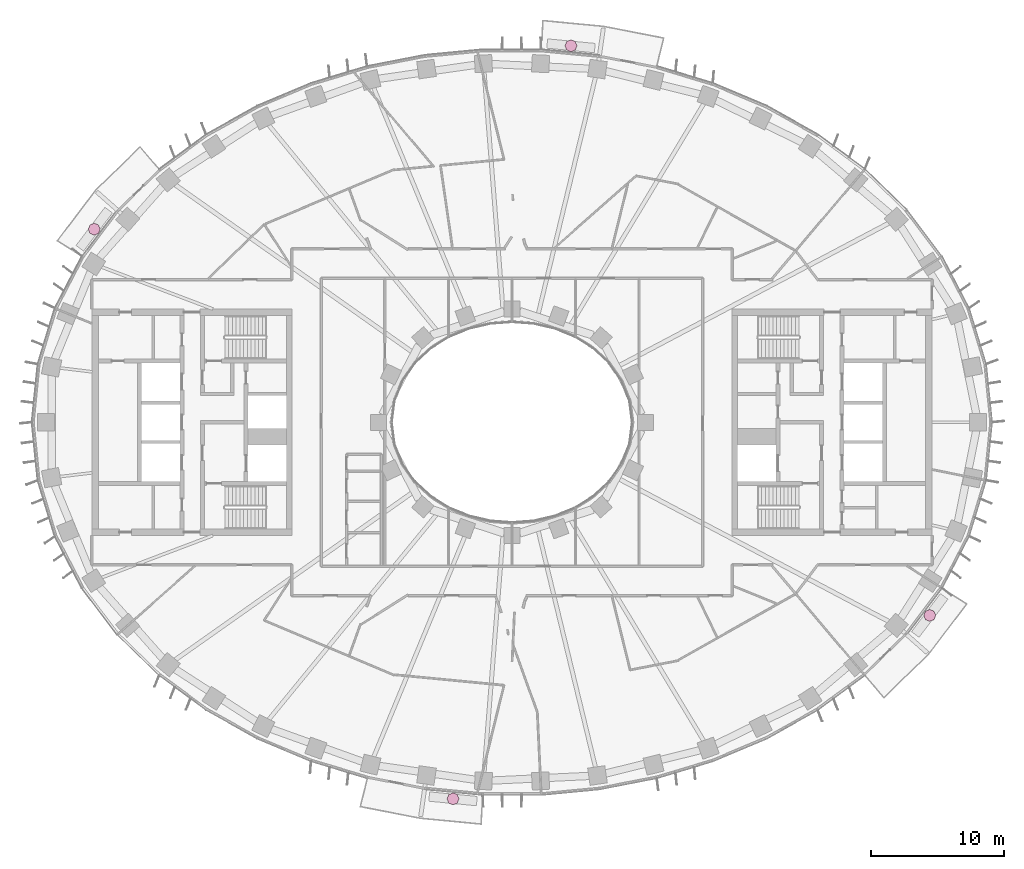
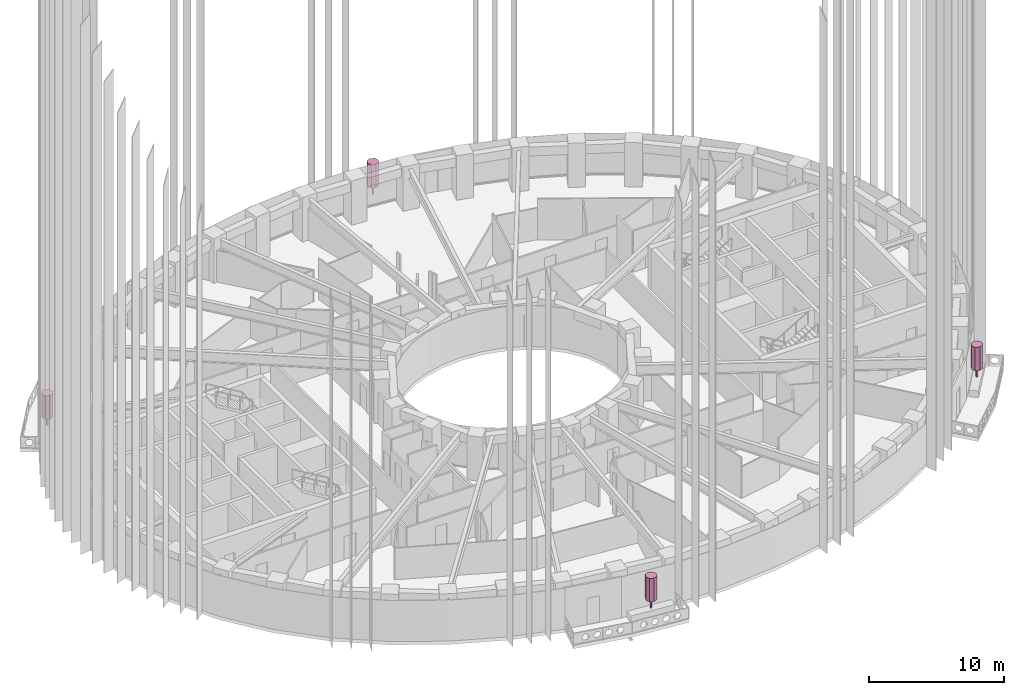
# One storey, part 20 of 20: 4 furnishings.
"""IFC4 building model written with IfcOpenShell, lengths in metres."""

from ifc_helpers import new_model, si_unit, direction, frame, origin, origin_2d, place, context, subcontext, project, spatial, polyline, rectangle, outline, extrude, material, type_object, element, save


model = new_model("IFC4")

# Units and contexts
model_context = context("Model", 3, precision=1e-05, world=origin(), true_north=direction((0.0, 1.0)))
body_context = subcontext(model_context, "Body", "Model", "MODEL_VIEW")
ifc_project = project(units=[si_unit("LENGTHUNIT", "METRE"), si_unit("AREAUNIT", "SQUARE_METRE"), si_unit("VOLUMEUNIT", "CUBIC_METRE"), si_unit("PLANEANGLEUNIT", "RADIAN"), si_unit("MASSUNIT", "GRAM", prefix="KILO")], contexts=[model_context])

# Site, building, storey
site_placement = place(None, origin())
site = spatial("IfcSite", under=ifc_project, at=site_placement, CompositionType="ELEMENT")
building_placement = place(site_placement, origin())
building = spatial("IfcBuilding", under=site, at=building_placement, Name="Noorbagh Ring Tower", CompositionType="ELEMENT")
storey_placement = place(building_placement, frame((0.0, 0.0, 88.0)))
storey = spatial("IfcBuildingStorey", under=building, at=storey_placement, Name="L19", CompositionType="ELEMENT", Elevation=88.0)

# Furnishings
ifc_material = material(Name="Planting foliage green")
furnishing_element_type = type_object("IfcFurnishingElementType", Name="ENV-TREE", material=ifc_material)
for number, where, z_axis, x_axis, name in (
    (1, (4.423828125, 28.2373046875, 0.60009765625), (0.0, 0.0, 1.0), (1.0, 0.0, 0.0), "Tree BN03"),
    (2, (-31.329833984375, 14.4833984375, 0.60009765625), (0.0, 0.0, 1.0), (1.0, 0.0, 0.0), "Tree BN06"),
    (3, (-4.423828125, -28.2373046875, 0.60009765625), (0.0, 0.0, 1.0), (1.0, 0.0, 0.0), "Tree BS03"),
    (4, (31.329833984375, -14.4833984375, 0.60009765625), (0.0, 0.0, 1.0), (1.0, 0.0, 0.0), "Tree BS06"),
):
    element("IfcFurnishingElement", number, at=place(storey_placement, frame(where, z_axis=z_axis, x_axis=x_axis)), inside=storey, type_object=furnishing_element_type, Name=name, context=body_context, shape_type="SweptSolid", body=[
        extrude(rectangle(XDim=0.1201171875, YDim=0.1201171875, at=origin_2d()), origin(), (0.0, 0.0, 1.0), 0.825927734375),
        extrude(outline(polyline([(0.449951171875, 0.0), (0.318115234375, 0.318115234375), (0.0, 0.449951171875), (-0.318115234375, 0.318115234375), (-0.449951171875, 0.0), (-0.318115234375, -0.318115234375), (0.0, -0.449951171875), (0.318115234375, -0.318115234375), (0.449951171875, 0.0)])), frame((0.0, 0.0, 0.825927734375)), (0.0, 0.0, 1.0), 2.1240234375),
    ])

save(model, "model.ifc")
